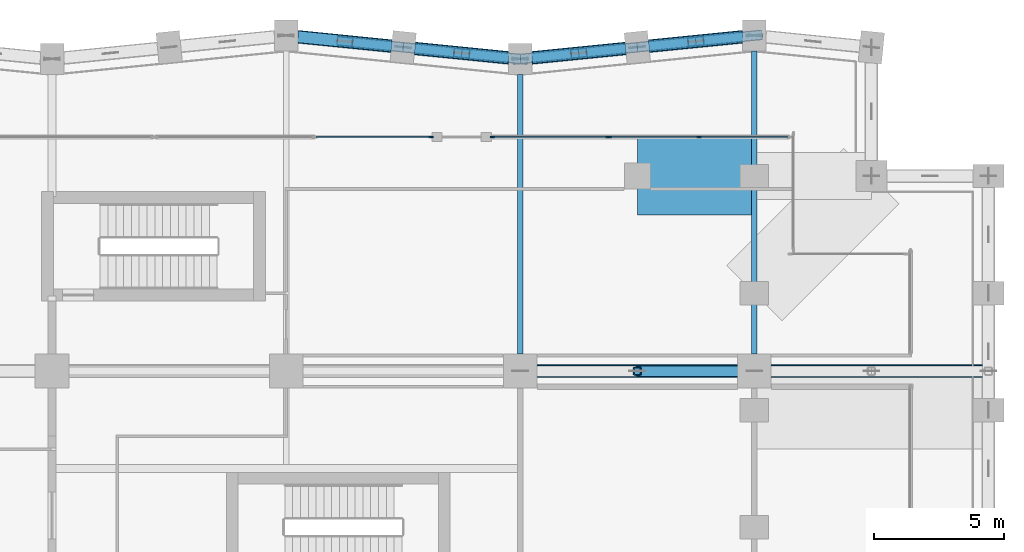
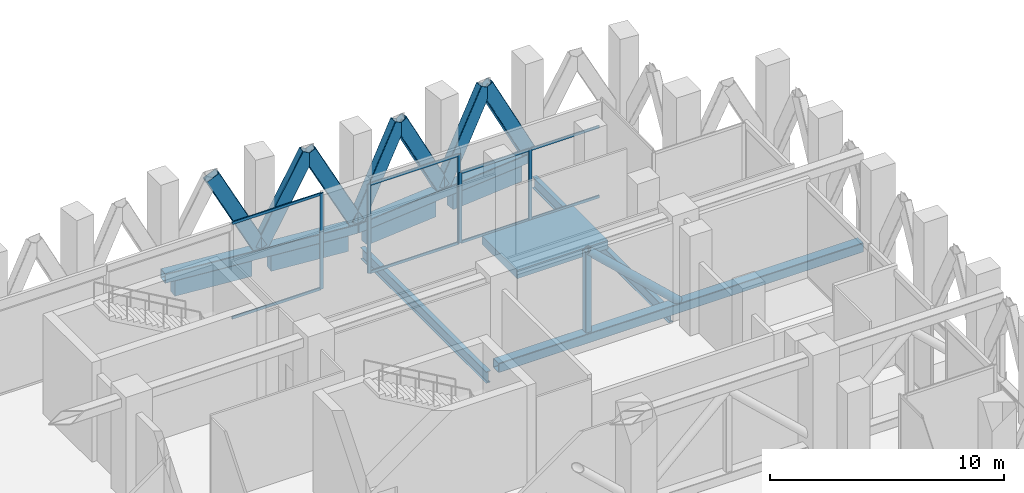
# One storey, part 17 of 37: 25 members, 7 beams, 3 elements without a shape of their own.
"""IFC4 building model written with IfcOpenShell, lengths in metres."""

from ifc_helpers import new_model, si_unit, direction, frame, origin, origin_2d, place, context, subcontext, project, spatial, rectangle, hollow_rectangle, hollow_circle, i_section, extrude, material, material_profile, profile_set, type_object, element, aggregate, save


model = new_model("IFC4")

# Units and contexts
model_context = context("Model", 3, precision=1e-05, world=origin(), true_north=direction((0.0, 1.0)))
body_context = subcontext(model_context, "Body", "Model", "MODEL_VIEW")
ifc_project = project(units=[si_unit("LENGTHUNIT", "METRE"), si_unit("AREAUNIT", "SQUARE_METRE"), si_unit("VOLUMEUNIT", "CUBIC_METRE"), si_unit("PLANEANGLEUNIT", "RADIAN"), si_unit("MASSUNIT", "GRAM", prefix="KILO")], contexts=[model_context])

# Site, building, storey
site_placement = place(None, origin())
site = spatial("IfcSite", under=ifc_project, at=site_placement, CompositionType="ELEMENT")
building_placement = place(site_placement, origin())
building = spatial("IfcBuilding", under=site, at=building_placement, Name="Brondeck Convention Tower", CompositionType="ELEMENT")
storey_placement = place(building_placement, frame((0.0, 0.0, 137.89990234375)))
storey = spatial("IfcBuildingStorey", under=building, at=storey_placement, Name="L33", CompositionType="ELEMENT", Elevation=137.89990234375)

# Beam
ifc_material_1 = material(Name="Concrete C70/85", Category="concrete")
ifc_material_profile_1 = material_profile(ifc_material_1, rectangle(XDim=3.0, YDim=0.43994140625, at=origin_2d()), Name="Band beam 3000x440 Concrete C70/85")
ifc_profile_set_1 = profile_set([ifc_material_profile_1], Name="Concrete C70/85")
beam_type_1 = type_object("IfcBeamType", Name="Band beam 3000x440 Concrete C70/85", PredefinedType="BEAM", material=ifc_profile_set_1)
beam_1_placement = place(storey_placement, frame((58.5, 58.5, -0.219970703125), z_axis=(1.0, 0.0, 0.0), x_axis=(0.0, 1.0, 0.0)))
element("IfcBeam", 1, at=beam_1_placement, inside=storey, type_object=beam_type_1, Name="Band beam L33-24", PredefinedType="BEAM", context=body_context, shape_type="SweptSolid", body=[
    extrude(rectangle(XDim=3.0, YDim=0.43994140625, at=origin_2d()), origin(), (0.0, 0.0, 1.0), 4.5),
])

# Curtain wall, members
ifc_material_2 = material(Name="Aluminium, bronze anodised", Category="aluminium")
curtain_wall_type = type_object("IfcCurtainWallType", Name="Sky lobby curtain wall", PredefinedType="NOTDEFINED", material=ifc_material_2)
curtain_wall_1_placement = place(storey_placement, origin())
curtain_wall_1 = element("IfcCurtainWall", 2, at=curtain_wall_1_placement, inside=storey, type_object=curtain_wall_type, Name="ENV-L33-024-CW30", PredefinedType="NOTDEFINED")
ifc_material_profile_2 = material_profile(ifc_material_2, rectangle(XDim=0.06005859375, YDim=0.159912109375, at=origin_2d()), Name="CW3 mullion")
ifc_profile_set_2 = profile_set([ifc_material_profile_2], Name="Aluminium, bronze anodised")
member_type_1 = type_object("IfcMemberType", Name="CW3 mullion", PredefinedType="MULLION", material=ifc_profile_set_2)
member_1_placement = place(storey_placement, frame((57.429931640625, 60.0, 0.0), z_axis=(0.0, 0.0, 1.0), x_axis=(0.0, 1.0, 0.0)))
member_1 = element("IfcMember", 3, at=member_1_placement, type_object=member_type_1, Name="CW3 mullion 1", PredefinedType="MULLION", context=body_context, shape_type="SweptSolid", body=[
    extrude(rectangle(XDim=0.06005859375, YDim=0.159912109375, at=origin_2d()), origin(), (0.0, 0.0, 1.0), 3.7001953125),
])
member_2_placement = place(storey_placement, frame((60.875, 60.0, 0.0), z_axis=(0.0, 0.0, 1.0), x_axis=(0.0, 1.0, 0.0)))
member_2 = element("IfcMember", 4, at=member_2_placement, type_object=member_type_1, Name="CW3 mullion 2", PredefinedType="MULLION", context=body_context, shape_type="SweptSolid", body=[
    extrude(rectangle(XDim=0.06005859375, YDim=0.159912109375, at=origin_2d()), origin(), (0.0, 0.0, 1.0), 3.7001953125),
])

curtain_wall_2_placement = place(storey_placement, origin())
curtain_wall_2 = element("IfcCurtainWall", 5, at=curtain_wall_2_placement, inside=storey, type_object=curtain_wall_type, Name="ENV-L33-025-CW30", PredefinedType="NOTDEFINED")
member_3_placement = place(storey_placement, frame((52.929931640625, 60.0, 0.0), z_axis=(0.0, 0.0, 1.0), x_axis=(0.0, 1.0, 0.0)))
member_3 = element("IfcMember", 6, at=member_3_placement, type_object=member_type_1, Name="CW3 mullion 1", PredefinedType="MULLION", context=body_context, shape_type="SweptSolid", body=[
    extrude(rectangle(XDim=0.06005859375, YDim=0.159912109375, at=origin_2d()), origin(), (0.0, 0.0, 1.0), 4.650146484375),
])
member_4_placement = place(storey_placement, frame((57.3701171875, 60.0, 0.0), z_axis=(0.0, 0.0, 1.0), x_axis=(0.0, 1.0, 0.0)))
member_4 = element("IfcMember", 7, at=member_4_placement, type_object=member_type_1, Name="CW3 mullion 2", PredefinedType="MULLION", context=body_context, shape_type="SweptSolid", body=[
    extrude(rectangle(XDim=0.06005859375, YDim=0.159912109375, at=origin_2d()), origin(), (0.0, 0.0, 1.0), 4.650146484375),
])

# Curtain wall, member
curtain_wall_3_placement = place(storey_placement, origin())
curtain_wall_3 = element("IfcCurtainWall", 8, at=curtain_wall_3_placement, inside=storey, type_object=curtain_wall_type, Name="ENV-L33-027-CW30", PredefinedType="NOTDEFINED")
member_5_placement = place(storey_placement, frame((50.570068359375, 60.0, 0.0), z_axis=(0.0, 0.0, 1.0), x_axis=(0.0, 1.0, 0.0)))
member_5 = element("IfcMember", 9, at=member_5_placement, type_object=member_type_1, Name="CW3 mullion 2", PredefinedType="MULLION", context=body_context, shape_type="SweptSolid", body=[
    extrude(rectangle(XDim=0.06005859375, YDim=0.159912109375, at=origin_2d()), origin(), (0.0, 0.0, 1.0), 5.0),
])

# Member
ifc_material_profile_3 = material_profile(ifc_material_2, rectangle(XDim=0.06005859375, YDim=0.139892578125, at=origin_2d()), Name="CW3 transom")
ifc_profile_set_3 = profile_set([ifc_material_profile_3], Name="Aluminium, bronze anodised")
member_type_2 = type_object("IfcMemberType", Name="CW3 transom", PredefinedType="USERDEFINED", material=ifc_profile_set_3)
member_6_placement = place(storey_placement, frame((57.4599609375, 60.0, 0.030029296875), z_axis=(1.0, 0.0, 0.0), x_axis=(0.0, 1.0, 0.0)))
member_6 = element("IfcMember", 10, at=member_6_placement, type_object=member_type_2, Name="CW3 transom 1.1", ObjectType="TRANSOM", PredefinedType="USERDEFINED", context=body_context, shape_type="SweptSolid", body=[
    extrude(rectangle(XDim=0.06005859375, YDim=0.139892578125, at=origin_2d()), origin(), (0.0, 0.0, 1.0), 3.385009765625),
])

member_7_placement = place(storey_placement, frame((57.4599609375, 60.0, 3.670166015625), z_axis=(1.0, 0.0, 0.0), x_axis=(0.0, 1.0, 0.0)))
member_7 = element("IfcMember", 11, at=member_7_placement, type_object=member_type_2, Name="CW3 transom 1.2", ObjectType="TRANSOM", PredefinedType="USERDEFINED", context=body_context, shape_type="SweptSolid", body=[
    extrude(rectangle(XDim=0.06005859375, YDim=0.139892578125, at=origin_2d()), origin(), (0.0, 0.0, 1.0), 3.385009765625),
])

member_8_placement = place(storey_placement, frame((60.905029296875, 60.0, 0.030029296875), z_axis=(1.0, 0.0, 0.0), x_axis=(0.0, 1.0, 0.0)))
member_8 = element("IfcMember", 12, at=member_8_placement, type_object=member_type_2, Name="CW3 transom 2.1", ObjectType="TRANSOM", PredefinedType="USERDEFINED", context=body_context, shape_type="SweptSolid", body=[
    extrude(rectangle(XDim=0.06005859375, YDim=0.139892578125, at=origin_2d()), origin(), (0.0, 0.0, 1.0), 3.385009765625),
])

member_9_placement = place(storey_placement, frame((60.905029296875, 60.0, 3.670166015625), z_axis=(1.0, 0.0, 0.0), x_axis=(0.0, 1.0, 0.0)))
member_9 = element("IfcMember", 13, at=member_9_placement, type_object=member_type_2, Name="CW3 transom 2.2", ObjectType="TRANSOM", PredefinedType="USERDEFINED", context=body_context, shape_type="SweptSolid", body=[
    extrude(rectangle(XDim=0.06005859375, YDim=0.139892578125, at=origin_2d()), origin(), (0.0, 0.0, 1.0), 3.385009765625),
])

aggregate(curtain_wall_1, [member_1, member_2, member_6, member_7, member_8, member_9])

member_10_placement = place(storey_placement, frame((52.9599609375, 60.0, 0.030029296875), z_axis=(1.0, 0.0, 0.0), x_axis=(0.0, 1.0, 0.0)))
member_10 = element("IfcMember", 14, at=member_10_placement, type_object=member_type_2, Name="CW3 transom 1.1", ObjectType="TRANSOM", PredefinedType="USERDEFINED", context=body_context, shape_type="SweptSolid", body=[
    extrude(rectangle(XDim=0.06005859375, YDim=0.139892578125, at=origin_2d()), origin(), (0.0, 0.0, 1.0), 4.380126953125),
])

member_11_placement = place(storey_placement, frame((52.9599609375, 60.0, 4.6201171875), z_axis=(1.0, 0.0, 0.0), x_axis=(0.0, 1.0, 0.0)))
member_11 = element("IfcMember", 15, at=member_11_placement, type_object=member_type_2, Name="CW3 transom 1.2", ObjectType="TRANSOM", PredefinedType="USERDEFINED", context=body_context, shape_type="SweptSolid", body=[
    extrude(rectangle(XDim=0.06005859375, YDim=0.139892578125, at=origin_2d()), origin(), (0.0, 0.0, 1.0), 4.380126953125),
])

aggregate(curtain_wall_2, [member_3, member_4, member_10, member_11])

member_12_placement = place(storey_placement, frame((46.159912109375, 60.0, 0.030029296875), z_axis=(1.0, 0.0, 0.0), x_axis=(0.0, 1.0, 0.0)))
member_12 = element("IfcMember", 16, at=member_12_placement, type_object=member_type_2, Name="CW3 transom 1.1", ObjectType="TRANSOM", PredefinedType="USERDEFINED", context=body_context, shape_type="SweptSolid", body=[
    extrude(rectangle(XDim=0.06005859375, YDim=0.139892578125, at=origin_2d()), origin(), (0.0, 0.0, 1.0), 4.380126953125),
])

member_13_placement = place(storey_placement, frame((46.159912109375, 60.0, 4.97021484375), z_axis=(1.0, 0.0, 0.0), x_axis=(0.0, 1.0, 0.0)))
member_13 = element("IfcMember", 17, at=member_13_placement, type_object=member_type_2, Name="CW3 transom 1.2", ObjectType="TRANSOM", PredefinedType="USERDEFINED", context=body_context, shape_type="SweptSolid", body=[
    extrude(rectangle(XDim=0.06005859375, YDim=0.139892578125, at=origin_2d()), origin(), (0.0, 0.0, 1.0), 4.380126953125),
])

aggregate(curtain_wall_3, [member_5, member_12, member_13])

# Members
ifc_material_3 = material(Name="Steel S460", Category="steel")
ifc_material_profile_4 = material_profile(ifc_material_3, hollow_rectangle(XDim=0.39990234375, YDim=0.699951171875, WallThickness=0.030029296875, InnerFilletRadius=0.030029296875, OuterFilletRadius=0.06005859375, at=origin_2d()), Name="RHS 700x400x30")
ifc_profile_set_4 = profile_set([ifc_material_profile_4], Name="Steel S460")
member_type_3 = type_object("IfcMemberType", Name="Chevron brace RHS 700x400x30", PredefinedType="BRACE", material=ifc_profile_set_4)
for number, where, z_axis, x_axis, name in (
    (18, (63.0, 63.89990234375, 0.5), (-0.458931352356, -0.045863256892, 0.887287200117), (0.099439578731, -0.995043602151, 0.0), "Belt truss BT-33-32 diagonal"),
    (19, (58.5, 63.449951171875, 0.5), (0.458930303654, 0.045912949215, 0.887285172581), (-0.099546478526, 0.995032913332, 0.0), "Belt truss BT-33-32 diagonal"),
    (20, (58.5, 63.449951171875, 0.5), (-0.458931352356, -0.045863256892, 0.887287200117), (0.099439578731, -0.995043602151, 0.0), "Belt truss BT-33-33 diagonal"),
    (21, (54.0, 63.0, 0.5), (0.458930303654, 0.045912949215, 0.887285172581), (-0.099546478526, 0.995032913332, 0.0), "Belt truss BT-33-33 diagonal"),
    (22, (54.0, 63.0, 0.5), (-0.458930303654, 0.045912949215, 0.887285172581), (-0.099546478526, -0.995032913332, 0.0), "Belt truss BT-33-34 diagonal"),
    (23, (49.5, 63.449951171875, 0.5), (0.458931352356, -0.045863256892, 0.887287200117), (0.099439578731, 0.995043602151, 0.0), "Belt truss BT-33-34 diagonal"),
    (24, (49.5, 63.449951171875, 0.5), (-0.458930303654, 0.045912949215, 0.887285172581), (-0.099546478526, -0.995032913332, 0.0), "Belt truss BT-33-35 diagonal"),
):
    element("IfcMember", number, at=place(storey_placement, frame(where, z_axis=z_axis, x_axis=x_axis)), inside=storey, type_object=member_type_3, Name=name, PredefinedType="BRACE", context=body_context, shape_type="SweptSolid", body=[
        extrude(hollow_rectangle(XDim=0.39990234375, YDim=0.699951171875, WallThickness=0.030029296875, InnerFilletRadius=0.030029296875, OuterFilletRadius=0.06005859375, at=origin_2d()), origin(), (0.0, 0.0, 1.0), 4.902587890625),
    ])

# Beams
ifc_material_4 = material(Name="Steel S355", Category="steel")
ifc_material_profile_5 = material_profile(ifc_material_4, i_section(OverallWidth=0.219970703125, OverallDepth=0.60009765625, WebThickness=0.011962890625, FlangeThickness=0.01904296875, FilletRadius=0.02392578125, at=origin_2d()), Name="IPE 600")
ifc_profile_set_5 = profile_set([ifc_material_profile_5], Name="Steel S355")
beam_type_2 = type_object("IfcBeamType", Name="Floor beam IPE 600", PredefinedType="BEAM", material=ifc_profile_set_5)
beam_2_placement = place(storey_placement, frame((54.0, 51.64990234375, -0.75), z_axis=(0.0, 1.0, 0.0), x_axis=(-1.0, 0.0, 0.0)))
element("IfcBeam", 25, at=beam_2_placement, inside=storey, type_object=beam_type_2, Name="STR-FB-L33-005", PredefinedType="BEAM", context=body_context, shape_type="SweptSolid", body=[
    extrude(i_section(OverallWidth=0.219970703125, OverallDepth=0.60009765625, WebThickness=0.011962890625, FlangeThickness=0.01904296875, FilletRadius=0.02392578125, at=origin_2d()), origin(), (0.0, 0.0, 1.0), 10.75),
])
beam_3_placement = place(storey_placement, frame((63.0, 51.64990234375, -0.75), z_axis=(0.0, 1.0, 0.0), x_axis=(-1.0, 0.0, 0.0)))
element("IfcBeam", 26, at=beam_3_placement, inside=storey, type_object=beam_type_2, Name="STR-FB-L33-008", PredefinedType="BEAM", context=body_context, shape_type="SweptSolid", body=[
    extrude(i_section(OverallWidth=0.219970703125, OverallDepth=0.60009765625, WebThickness=0.011962890625, FlangeThickness=0.01904296875, FilletRadius=0.02392578125, at=origin_2d()), origin(), (0.0, 0.0, 1.0), 11.650146484375),
])
ifc_material_profile_6 = material_profile(ifc_material_1, rectangle(XDim=0.449951171875, YDim=0.800048828125, at=origin_2d()), Name="Precast spandrel 450x800 Concrete C70/85")
ifc_profile_set_6 = profile_set([ifc_material_profile_6], Name="Concrete C70/85")
beam_type_3 = type_object("IfcBeamType", Name="Precast spandrel 450x800 Concrete C70/85", PredefinedType="SPANDREL", material=ifc_profile_set_6)
for number, where, z_axis, x_axis, name in (
    (27, (62.550048828125, 63.85498046875, -0.39990234375), (-0.995040528141, -0.099470334057, 0.0), (0.099470334057, -0.995040528141, 0.0), "STR-SP-L33-032"),
    (28, (58.05224609375, 63.4052734375, -0.39990234375), (-0.995033851182, -0.099537103649, 0.0), (0.099537103649, -0.995033851182, 0.0), "STR-SP-L33-033"),
    (29, (53.550048828125, 63.044921875, -0.39990234375), (-0.995033851182, 0.099537103649, 0.0), (-0.099537103649, -0.995033851182, 0.0), "STR-SP-L33-034"),
    (30, (49.05224609375, 63.494873046875, -0.39990234375), (-0.995040528141, 0.099470334057, 0.0), (-0.099470334057, -0.995040528141, 0.0), "STR-SP-L33-035"),
):
    element("IfcBeam", number, at=place(storey_placement, frame(where, z_axis=z_axis, x_axis=x_axis)), inside=storey, type_object=beam_type_3, Name=name, PredefinedType="SPANDREL", context=body_context, shape_type="SweptSolid", body=[
        extrude(rectangle(XDim=0.449951171875, YDim=0.800048828125, at=origin_2d()), origin(), (0.0, 0.0, 1.0), 3.620361328125),
    ])

# Members
ifc_material_profile_7 = material_profile(ifc_material_3, hollow_rectangle(XDim=0.5, YDim=0.5, WallThickness=0.02490234375, InnerFilletRadius=0.02490234375, OuterFilletRadius=0.050048828125, at=origin_2d()), Name="RHS 500x500x25")
ifc_profile_set_7 = profile_set([ifc_material_profile_7], Name="Steel S460")
member_type_4 = type_object("IfcMemberType", Name="Truss chord RHS 500x500x25", PredefinedType="CHORD", material=ifc_profile_set_7)
for number, where, z_axis, x_axis, name in (
    (31, (63.0, 63.89990234375, 0.25), (-0.995038259148, -0.099493029059, 0.0), (0.099493029059, -0.995038259148, 0.0), "Belt truss BT-33-17 chord"),
    (32, (54.0, 63.0, 0.25), (-0.995038259148, 0.099493029059, 0.0), (-0.099493029059, -0.995038259148, 0.0), "Belt truss BT-33-18 chord"),
):
    element("IfcMember", number, at=place(storey_placement, frame(where, z_axis=z_axis, x_axis=x_axis)), inside=storey, type_object=member_type_4, Name=name, PredefinedType="CHORD", context=body_context, shape_type="SweptSolid", body=[
        extrude(hollow_rectangle(XDim=0.5, YDim=0.5, WallThickness=0.02490234375, InnerFilletRadius=0.02490234375, OuterFilletRadius=0.050048828125, at=origin_2d()), origin(), (0.0, 0.0, 1.0), 9.044921875),
    ])
member_14_placement = place(storey_placement, frame((54.0, 51.0, 0.25), z_axis=(1.0, 0.0, 0.0), x_axis=(0.0, 1.0, 0.0)))
element("IfcMember", 33, at=member_14_placement, inside=storey, type_object=member_type_4, Name="Outrigger truss OT-33-A2 chord", PredefinedType="CHORD", context=body_context, shape_type="SweptSolid", body=[
    extrude(hollow_rectangle(XDim=0.5, YDim=0.5, WallThickness=0.02490234375, InnerFilletRadius=0.02490234375, OuterFilletRadius=0.050048828125, at=origin_2d()), origin(), (0.0, 0.0, 1.0), 18.0),
])
ifc_material_profile_8 = material_profile(ifc_material_3, hollow_circle(Radius=0.203125, WallThickness=0.02490234375, at=origin_2d()), Name="CHS 406.4x25")
ifc_profile_set_8 = profile_set([ifc_material_profile_8], Name="Steel S460")
member_type_5 = type_object("IfcMemberType", Name="Truss diagonal CHS 406.4x25", PredefinedType="BRACE", material=ifc_profile_set_8)
member_15_placement = place(storey_placement, frame((58.5, 51.0, 4.7001953125), z_axis=(0.731039441158, 0.0, -0.682335207557), x_axis=(0.0, 1.0, 0.0)))
element("IfcMember", 34, at=member_15_placement, inside=storey, type_object=member_type_5, Name="Outrigger truss OT-33-A2 diagonal", PredefinedType="BRACE", context=body_context, shape_type="SweptSolid", body=[
    extrude(hollow_circle(Radius=0.203125, WallThickness=0.02490234375, at=origin_2d()), origin(), (0.0, 0.0, 1.0), 6.155517578125),
])
ifc_material_profile_9 = material_profile(ifc_material_3, hollow_rectangle(XDim=0.300048828125, YDim=0.300048828125, WallThickness=0.01611328125, InnerFilletRadius=0.01611328125, OuterFilletRadius=0.031982421875, at=origin_2d()), Name="RHS 300x300x16")
ifc_profile_set_9 = profile_set([ifc_material_profile_9], Name="Steel S460")
member_type_6 = type_object("IfcMemberType", Name="Truss vertical RHS 300x300x16", PredefinedType="STRUT", material=ifc_profile_set_9)
member_16_placement = place(storey_placement, frame((58.5, 51.0, 0.5), z_axis=(0.0, 0.0, 1.0), x_axis=(1.0, 0.0, 0.0)))
element("IfcMember", 35, at=member_16_placement, inside=storey, type_object=member_type_6, Name="Outrigger truss OT-33-A2 vertical", PredefinedType="STRUT", context=body_context, shape_type="SweptSolid", body=[
    extrude(hollow_rectangle(XDim=0.300048828125, YDim=0.300048828125, WallThickness=0.01611328125, InnerFilletRadius=0.01611328125, OuterFilletRadius=0.031982421875, at=origin_2d()), origin(), (0.0, 0.0, 1.0), 4.2001953125),
])

save(model, "model.ifc")
